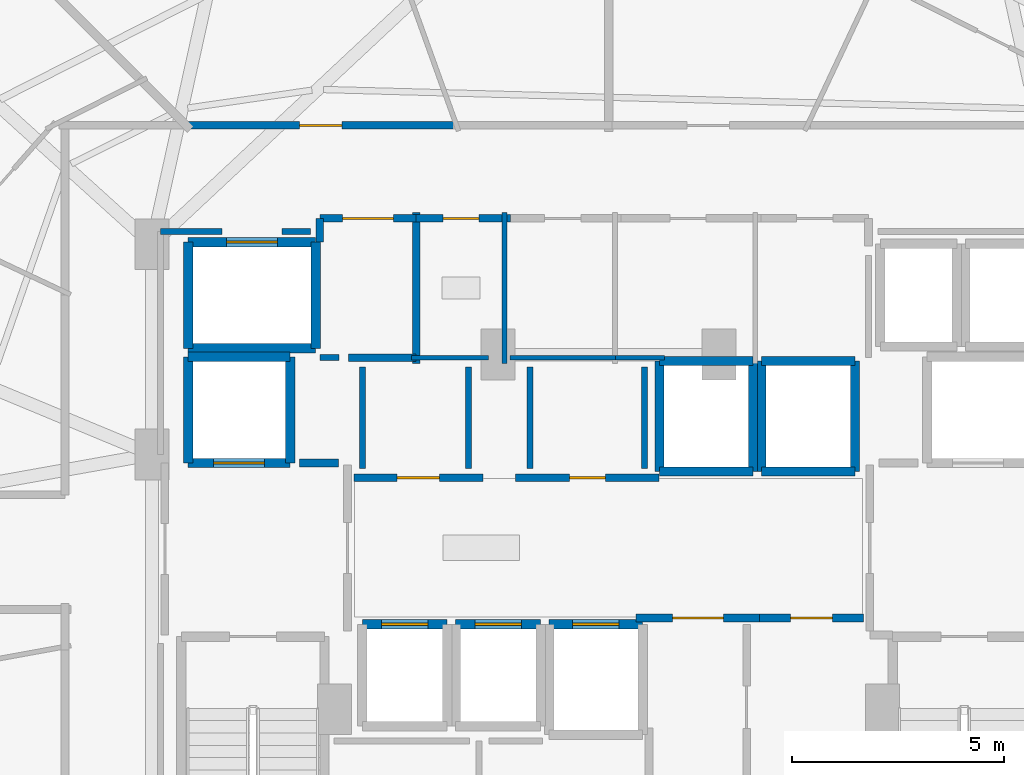
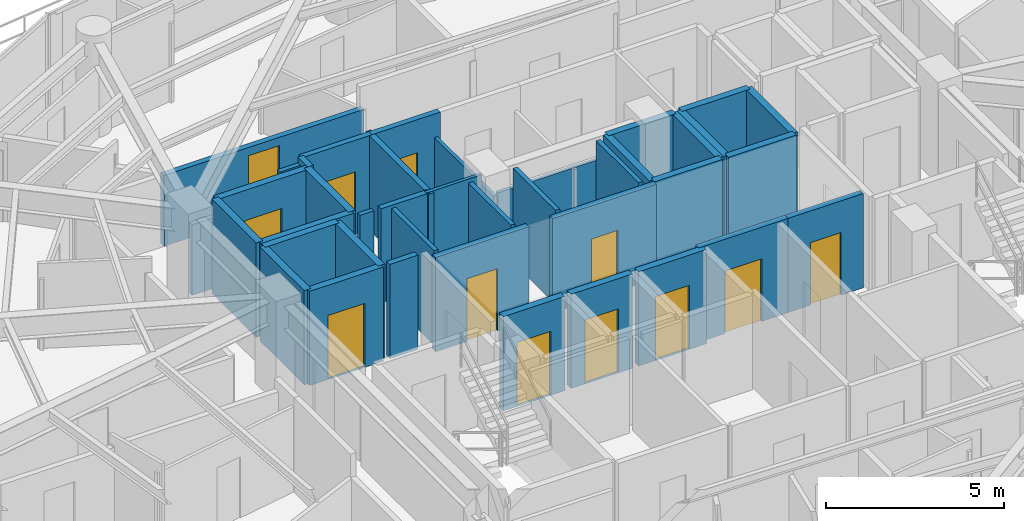
# One storey, part 24 of 31: 41 walls, 12 doors, 12 openings.
"""IFC4 building model written with IfcOpenShell, lengths in metres."""

from ifc_helpers import new_model, si_unit, direction, frame, frame_2d, origin, place, context, subcontext, project, spatial, rectangle, extrude, material, layer, layer_set, type_object, element, fill, save


model = new_model("IFC4")

# Units and contexts
model_context = context("Model", 3, precision=1e-05, world=origin(), true_north=direction((0.0, 1.0)))
body_context = subcontext(model_context, "Body", "Model", "MODEL_VIEW")
ifc_project = project(units=[si_unit("LENGTHUNIT", "METRE"), si_unit("AREAUNIT", "SQUARE_METRE"), si_unit("VOLUMEUNIT", "CUBIC_METRE"), si_unit("PLANEANGLEUNIT", "RADIAN"), si_unit("MASSUNIT", "GRAM", prefix="KILO")], contexts=[model_context])

# Site, building, storey
site_placement = place(None, origin())
site = spatial("IfcSite", under=ifc_project, at=site_placement, CompositionType="ELEMENT")
building_placement = place(site_placement, origin())
building = spatial("IfcBuilding", under=site, at=building_placement, Name="Vorneva Point Tower", CompositionType="ELEMENT")
storey_placement = place(building_placement, frame((0.0, 0.0, 129.10009765625)))
storey = spatial("IfcBuildingStorey", under=building, at=storey_placement, Name="L34", CompositionType="ELEMENT", Elevation=129.10009765625)

# Wall, opening, door
ifc_material_1 = material(Name="Concrete B60 (C50/60)", Category="concrete")
ifc_layer_1 = layer(ifc_material_1, 0.5)
ifc_layer_set_1 = layer_set([ifc_layer_1], Name="Concrete B60 (C50/60)")
wall_type_1 = type_object("IfcWallType", Name="WL-CORE-500", PredefinedType="SHEAR", material=ifc_layer_set_1)
wall_1_placement = place(storey_placement, frame((28.10009765625, 28.0, 0.0), z_axis=(0.0, 0.0, 1.0), x_axis=(1.0, 0.0, 0.0)))
wall_1 = element("IfcWall", 1, at=wall_1_placement, inside=storey, type_object=wall_type_1, Name="L34 Lift FFL1 Shaft Wall -Y", PredefinedType="SHEAR", context=body_context, shape_type="SweptSolid", body=[
    extrude(rectangle(XDim=2.39990234375, YDim=0.219970703125, at=frame_2d((1.199951171875, 0.0))), origin(), (0.0, 0.0, 1.0), 3.239990234375),
])
opening_1_placement = place(wall_1_placement, frame((0.60009765625, 0.0, 0.0)))
opening_1 = element("IfcOpeningElement", 2, at=opening_1_placement, cuts=wall_1, Name="Opening LD-02", PredefinedType="OPENING", context=body_context, shape_type="SweptSolid", body=[
    extrude(rectangle(XDim=1.199951171875, YDim=2.199951171875, at=frame_2d((0.60009765625, 1.10009765625))), frame((0.0, 0.125, 0.0), z_axis=(0.0, -1.0, 0.0), x_axis=(1.0, 0.0, 0.0)), (0.0, 0.0, 1.0), 0.249755859375),
])
ifc_material_2 = material(Name="Brushed stainless steel S304", Category="steel")
door_type_1 = type_object("IfcDoorType", Name="LD-FIRE-1200", OperationType="SLIDING_TO_LEFT", PredefinedType="DOOR", material=ifc_material_2)
door_1_placement = place(opening_1_placement, origin())
door_1 = element("IfcDoor", 3, at=door_1_placement, inside=storey, type_object=door_type_1, Name="L34 Lift FFL1 Sliding Landing Door", OperationType="SLIDING_TO_LEFT", OverallHeight=2.199951171875, OverallWidth=1.199951171875, PredefinedType="DOOR", context=body_context, shape_type="SweptSolid", body=[
    extrude(rectangle(XDim=1.199951171875, YDim=2.199951171875, at=frame_2d((0.60009765625, 1.10009765625))), frame((0.0, 0.02490234375, 0.0), z_axis=(0.0, -1.0, 0.0), x_axis=(1.0, 0.0, 0.0)), (0.0, 0.0, 1.0), 0.050048828125),
])
fill(opening_1, door_1)

# Walls
wall_2_placement = place(storey_placement, frame((30.5, 28.0, 0.0), z_axis=(0.0, 0.0, 1.0), x_axis=(0.0, 1.0, 0.0)))
element("IfcWall", 4, at=wall_2_placement, inside=storey, type_object=wall_type_1, Name="L34 Lift FFL1 Shaft Wall +X", PredefinedType="SHEAR", context=body_context, shape_type="SweptSolid", body=[
    extrude(rectangle(XDim=2.5, YDim=0.219970703125, at=frame_2d((1.25, 0.0))), origin(), (0.0, 0.0, 1.0), 3.239990234375),
])
wall_3_placement = place(storey_placement, frame((30.5, 30.5, 0.0), z_axis=(0.0, 0.0, 1.0), x_axis=(-1.0, 0.0, 0.0)))
element("IfcWall", 5, at=wall_3_placement, inside=storey, type_object=wall_type_1, Name="L34 Lift FFL1 Shaft Wall +Y", PredefinedType="SHEAR", context=body_context, shape_type="SweptSolid", body=[
    extrude(rectangle(XDim=2.39990234375, YDim=0.219970703125, at=frame_2d((1.199951171875, 0.0))), origin(), (0.0, 0.0, 1.0), 3.239990234375),
])
wall_4_placement = place(storey_placement, frame((28.10009765625, 30.5, 0.0), z_axis=(0.0, 0.0, 1.0), x_axis=(0.0, -1.0, 0.0)))
element("IfcWall", 6, at=wall_4_placement, inside=storey, type_object=wall_type_1, Name="L34 Lift FFL1 Shaft Wall -X", PredefinedType="SHEAR", context=body_context, shape_type="SweptSolid", body=[
    extrude(rectangle(XDim=2.5, YDim=0.219970703125, at=frame_2d((1.25, 0.0))), origin(), (0.0, 0.0, 1.0), 3.239990234375),
])
ifc_material_3 = material(Name="Fire-rated acoustic gypsum stud partition", Category="gypsum")
ifc_layer_2 = layer(ifc_material_3, 0.110107421875)
ifc_layer_set_2 = layer_set([ifc_layer_2], Name="Fire-rated acoustic gypsum stud partition")
wall_type_2 = type_object("IfcWallType", Name="WL-PART-110", PredefinedType="PARTITIONING", material=ifc_layer_set_2)
wall_5_placement = place(storey_placement, frame((35.550048828125, 30.340087890625, 0.0), z_axis=(0.0, 0.0, 1.0), x_axis=(0.0, 1.0, 0.0)))
element("IfcWall", 7, at=wall_5_placement, inside=storey, type_object=wall_type_2, Name="L34 Interior Partition 020", PredefinedType="PARTITIONING", context=body_context, shape_type="SweptSolid", body=[
    extrude(rectangle(XDim=3.559814453125, YDim=0.110107421875, at=frame_2d((1.77978515625, 0.0))), origin(), (0.0, 0.0, 1.0), 2.431884765625),
])
wall_6_placement = place(storey_placement, frame((33.360107421875, 30.47998046875, 0.0), z_axis=(0.0, 0.0, 1.0), x_axis=(1.0, 0.0, 0.0)))
element("IfcWall", 8, at=wall_6_placement, inside=storey, type_object=wall_type_2, Name="L34 Interior Partition 021", PredefinedType="PARTITIONING", context=body_context, shape_type="SweptSolid", body=[
    extrude(rectangle(XDim=1.809814453125, YDim=0.110107421875, at=frame_2d((0.90478515625, 0.0))), origin(), (0.0, 0.0, 1.0), 3.239990234375),
])
wall_7_placement = place(storey_placement, frame((35.679931640625, 30.47998046875, 0.0), z_axis=(0.0, 0.0, 1.0), x_axis=(1.0, 0.0, 0.0)))
element("IfcWall", 9, at=wall_7_placement, inside=storey, type_object=wall_type_2, Name="L34 Interior Partition 024", PredefinedType="PARTITIONING", context=body_context, shape_type="SweptSolid", body=[
    extrude(rectangle(XDim=2.594970703125, YDim=0.110107421875, at=frame_2d((1.29736328125, 0.0))), origin(), (0.0, 0.0, 1.0), 2.431884765625),
])
wall_8_placement = place(storey_placement, frame((38.1650390625, 30.47998046875, 0.0), z_axis=(0.0, 0.0, 1.0), x_axis=(1.0, 0.0, 0.0)))
element("IfcWall", 10, at=wall_8_placement, inside=storey, type_object=wall_type_2, Name="L34 Interior Partition 027", PredefinedType="PARTITIONING", context=body_context, shape_type="SweptSolid", body=[
    extrude(rectangle(XDim=1.155029296875, YDim=0.110107421875, at=frame_2d((0.57763671875, 0.0))), origin(), (0.0, 0.0, 1.0), 2.431884765625),
])
ifc_layer_3 = layer(ifc_material_3, 0.139892578125)
ifc_layer_set_3 = layer_set([ifc_layer_3], Name="Fire-rated acoustic gypsum stud partition")
wall_type_3 = type_object("IfcWallType", Name="WL-PART-140", PredefinedType="PARTITIONING", material=ifc_layer_set_3)
wall_9_placement = place(storey_placement, frame((31.199951171875, 30.47998046875, 0.0), z_axis=(0.0, 0.0, 1.0), x_axis=(1.0, 0.0, 0.0)))
element("IfcWall", 11, at=wall_9_placement, inside=storey, type_object=wall_type_3, Name="L34 Interior Closure Partition 137", PredefinedType="PARTITIONING", context=body_context, shape_type="SweptSolid", body=[
    extrude(rectangle(XDim=0.449951171875, YDim=0.139892578125, at=frame_2d((0.22509765625, 0.0))), origin(), (0.0, 0.0, 1.0), 3.239990234375),
])
for number, where, z_axis, x_axis, name in (
    (12, (32.199951171875, 30.260009765625, 0.0), (0.0, 0.0, 1.0), (0.0, -1.0, 0.0), "L34 Interior Closure Partition 141"),
    (13, (34.699951171875, 27.8701171875, 0.0), (0.0, 0.0, 1.0), (0.0, 1.0, 0.0), "L34 Interior Closure Partition 142"),
    (14, (36.14990234375, 30.260009765625, 0.0), (0.0, 0.0, 1.0), (0.0, -1.0, 0.0), "L34 Interior Closure Partition 143"),
    (15, (38.85009765625, 27.8701171875, 0.0), (0.0, 0.0, 1.0), (0.0, 1.0, 0.0), "L34 Interior Closure Partition 144"),
):
    element("IfcWall", number, at=place(storey_placement, frame(where, z_axis=z_axis, x_axis=x_axis)), inside=storey, type_object=wall_type_3, Name=name, PredefinedType="PARTITIONING", context=body_context, shape_type="SweptSolid", body=[
        extrude(rectangle(XDim=2.389892578125, YDim=0.139892578125, at=frame_2d((1.19482421875, 0.0))), origin(), (0.0, 0.0, 1.0), 3.239990234375),
    ])
wall_10_placement = place(storey_placement, frame((30.97998046875, 33.449951171875, 0.0), z_axis=(0.0, 0.0, 1.0), x_axis=(-1.0, 0.0, 0.0)))
element("IfcWall", 16, at=wall_10_placement, inside=storey, type_object=wall_type_3, Name="L34 Interior Closure Partition 147", PredefinedType="PARTITIONING", context=body_context, shape_type="SweptSolid", body=[
    extrude(rectangle(XDim=0.674072265625, YDim=0.139892578125, at=frame_2d((0.3369140625, 0.0))), origin(), (0.0, 0.0, 1.0), 3.239990234375),
])
wall_11_placement = place(storey_placement, frame((28.89404296875, 33.449951171875, 0.0), z_axis=(0.0, 0.0, 1.0), x_axis=(-1.0, 0.0, 0.0)))
element("IfcWall", 17, at=wall_11_placement, inside=storey, type_object=wall_type_3, Name="L34 Interior Closure Partition 148", PredefinedType="PARTITIONING", context=body_context, shape_type="SweptSolid", body=[
    extrude(rectangle(XDim=1.444091796875, YDim=0.139892578125, at=frame_2d((0.72216796875, 0.0))), origin(), (0.0, 0.0, 1.0), 2.431884765625),
])
ifc_material_4 = material(Name="Autoclaved aerated concrete blockwork", Category="masonry")
ifc_layer_4 = layer(ifc_material_4, 0.179931640625)
ifc_layer_set_4 = layer_set([ifc_layer_4], Name="Autoclaved aerated concrete blockwork")
wall_type_4 = type_object("IfcWallType", Name="WL-PART-180", PredefinedType="PARTITIONING", material=ifc_layer_set_4)
wall_12_placement = place(storey_placement, frame((33.469970703125, 30.340087890625, 0.0), z_axis=(0.0, 0.0, 1.0), x_axis=(0.0, 1.0, 0.0)))
element("IfcWall", 18, at=wall_12_placement, inside=storey, type_object=wall_type_4, Name="L34 Interior Partition 006", PredefinedType="PARTITIONING", context=body_context, shape_type="SweptSolid", body=[
    extrude(rectangle(XDim=3.559814453125, YDim=0.179931640625, at=frame_2d((1.77978515625, 0.0))), origin(), (0.0, 0.0, 1.0), 3.239990234375),
])
wall_13_placement = place(storey_placement, frame((31.8701171875, 30.47998046875, 0.0), z_axis=(0.0, 0.0, 1.0), x_axis=(1.0, 0.0, 0.0)))
element("IfcWall", 19, at=wall_13_placement, inside=storey, type_object=wall_type_4, Name="L34 Interior Partition 007", PredefinedType="PARTITIONING", context=body_context, shape_type="SweptSolid", body=[
    extrude(rectangle(XDim=1.599853515625, YDim=0.179931640625, at=frame_2d((0.7998046875, 0.0))), origin(), (0.0, 0.0, 1.0), 3.239990234375),
])

# Wall, opening, door
wall_14_placement = place(storey_placement, frame((33.469970703125, 33.760009765625, 0.0), z_axis=(0.0, 0.0, 1.0), x_axis=(-1.0, 0.0, 0.0)))
wall_14 = element("IfcWall", 20, at=wall_14_placement, inside=storey, type_object=wall_type_4, Name="L34 Interior Partition 008", PredefinedType="PARTITIONING", context=body_context, shape_type="SweptSolid", body=[
    extrude(rectangle(XDim=2.27001953125, YDim=0.179931640625, at=frame_2d((1.135009765625, 0.0))), origin(), (0.0, 0.0, 1.0), 3.239990234375),
])
opening_2_placement = place(wall_14_placement, frame((0.534912109375, 0.0, 0.0)))
opening_2 = element("IfcOpeningElement", 21, at=opening_2_placement, cuts=wall_14, Name="Opening FD-02", PredefinedType="OPENING", context=body_context, shape_type="SweptSolid", body=[
    extrude(rectangle(XDim=1.199951171875, YDim=2.14990234375, at=frame_2d((0.60009765625, 1.074951171875))), frame((0.0, 0.10498046875, 0.0), z_axis=(0.0, -1.0, 0.0), x_axis=(1.0, 0.0, 0.0)), (0.0, 0.0, 1.0), 0.209716796875),
])
ifc_material_5 = material(Name="Fire-rated powder-coated steel", Category="steel")
door_type_2 = type_object("IfcDoorType", Name="DR-FFL-1200", OperationType="NOTDEFINED", PredefinedType="DOOR", material=ifc_material_5)
door_2_placement = place(opening_2_placement, origin())
door_2 = element("IfcDoor", 22, at=door_2_placement, inside=storey, type_object=door_type_2, Name="L34 Door Service Lift Lobby / L34 Circulation Corridor", OperationType="SINGLE_SWING_RIGHT", OverallHeight=2.14990234375, OverallWidth=1.199951171875, PredefinedType="DOOR", context=body_context, shape_type="SweptSolid", body=[
    extrude(rectangle(XDim=1.199951171875, YDim=2.14990234375, at=frame_2d((0.60009765625, 1.074951171875))), frame((0.0, 0.02490234375, 0.0), z_axis=(0.0, -1.0, 0.0), x_axis=(1.0, 0.0, 0.0)), (0.0, 0.0, 1.0), 0.050048828125),
])
fill(opening_2, door_2)

# Wall
wall_15_placement = place(storey_placement, frame((31.199951171875, 33.760009765625, 0.0), z_axis=(0.0, 0.0, 1.0), x_axis=(0.0, -1.0, 0.0)))
element("IfcWall", 23, at=wall_15_placement, inside=storey, type_object=wall_type_4, Name="L34 Interior Partition 009", PredefinedType="PARTITIONING", context=body_context, shape_type="SweptSolid", body=[
    extrude(rectangle(XDim=0.56005859375, YDim=0.179931640625, at=frame_2d((0.280029296875, 0.0))), origin(), (0.0, 0.0, 1.0), 3.239990234375),
])

# Wall, opening, door
wall_16_placement = place(storey_placement, frame((38.64501953125, 24.35009765625, 0.0), z_axis=(0.0, 0.0, 1.0), x_axis=(1.0, 0.0, 0.0)))
wall_16 = element("IfcWall", 24, at=wall_16_placement, inside=storey, type_object=wall_type_4, Name="L34 Interior Partition 010", PredefinedType="PARTITIONING", context=body_context, shape_type="SweptSolid", body=[
    extrude(rectangle(XDim=2.909912109375, YDim=0.179931640625, at=frame_2d((1.455078125, 0.0))), origin(), (0.0, 0.0, 1.0), 3.239990234375),
])
opening_3_placement = place(wall_16_placement, frame((0.85498046875, 0.0, 0.0)))
opening_3 = element("IfcOpeningElement", 25, at=opening_3_placement, cuts=wall_16, Name="Opening FD-02", PredefinedType="OPENING", context=body_context, shape_type="SweptSolid", body=[
    extrude(rectangle(XDim=1.199951171875, YDim=2.14990234375, at=frame_2d((0.60009765625, 1.074951171875))), frame((0.0, 0.10498046875, 0.0), z_axis=(0.0, -1.0, 0.0), x_axis=(1.0, 0.0, 0.0)), (0.0, 0.0, 1.0), 0.209716796875),
])
door_3_placement = place(opening_3_placement, origin())
door_3 = element("IfcDoor", 26, at=door_3_placement, inside=storey, type_object=door_type_2, Name="L34 Door Central Lift Lobby / Core Service Lobby", OperationType="SINGLE_SWING_LEFT", OverallHeight=2.14990234375, OverallWidth=1.199951171875, PredefinedType="DOOR", context=body_context, shape_type="SweptSolid", body=[
    extrude(rectangle(XDim=1.199951171875, YDim=2.14990234375, at=frame_2d((0.60009765625, 1.074951171875))), frame((0.0, 0.02490234375, 0.0), z_axis=(0.0, -1.0, 0.0), x_axis=(1.0, 0.0, 0.0)), (0.0, 0.0, 1.0), 0.050048828125),
])
fill(opening_3, door_3)

wall_17_placement = place(storey_placement, frame((41.554931640625, 24.35009765625, 0.0), z_axis=(0.0, 0.0, 1.0), x_axis=(1.0, 0.0, 0.0)))
wall_17 = element("IfcWall", 27, at=wall_17_placement, inside=storey, type_object=wall_type_4, Name="L34 Interior Partition 011", PredefinedType="PARTITIONING", context=body_context, shape_type="SweptSolid", body=[
    extrude(rectangle(XDim=2.445068359375, YDim=0.179931640625, at=frame_2d((1.22265625, 0.0))), origin(), (0.0, 0.0, 1.0), 3.239990234375),
])
opening_4_placement = place(wall_17_placement, frame((0.722412109375, 0.0, 0.0)))
opening_4 = element("IfcOpeningElement", 28, at=opening_4_placement, cuts=wall_17, Name="Opening UD-01", PredefinedType="OPENING", context=body_context, shape_type="SweptSolid", body=[
    extrude(rectangle(XDim=1.0, YDim=2.14990234375, at=frame_2d((0.5, 1.074951171875))), frame((0.0, 0.10498046875, 0.0), z_axis=(0.0, -1.0, 0.0), x_axis=(1.0, 0.0, 0.0)), (0.0, 0.0, 1.0), 0.209716796875),
])
ifc_material_6 = material(Name="Engineered oak fire-rated door leaf", Category="wood")
door_type_3 = type_object("IfcDoorType", Name="DR-UNIT-1000", OperationType="NOTDEFINED", PredefinedType="DOOR", material=ifc_material_6)
door_4_placement = place(opening_4_placement, origin())
door_4 = element("IfcDoor", 29, at=door_4_placement, inside=storey, type_object=door_type_3, Name="L34 Door Central Lift Lobby / Floor Management Office", OperationType="SINGLE_SWING_RIGHT", OverallHeight=2.14990234375, OverallWidth=1.0, PredefinedType="DOOR", context=body_context, shape_type="SweptSolid", body=[
    extrude(rectangle(XDim=1.0, YDim=2.14990234375, at=frame_2d((0.5, 1.074951171875))), frame((0.0, 0.02490234375, 0.0), z_axis=(0.0, -1.0, 0.0), x_axis=(1.0, 0.0, 0.0)), (0.0, 0.0, 1.0), 0.050048828125),
])
fill(opening_4, door_4)

wall_18_placement = place(storey_placement, frame((35.0400390625, 27.64990234375, 0.0), z_axis=(0.0, 0.0, 1.0), x_axis=(-1.0, 0.0, 0.0)))
wall_18 = element("IfcWall", 30, at=wall_18_placement, inside=storey, type_object=wall_type_4, Name="L34 Interior Partition 012", PredefinedType="PARTITIONING", context=body_context, shape_type="SweptSolid", body=[
    extrude(rectangle(XDim=3.0400390625, YDim=0.179931640625, at=frame_2d((1.52001953125, 0.0))), origin(), (0.0, 0.0, 1.0), 3.239990234375),
])
opening_5_placement = place(wall_18_placement, frame((1.02001953125, 0.0, 0.0)))
opening_5 = element("IfcOpeningElement", 31, at=opening_5_placement, cuts=wall_18, Name="Opening UD-01", PredefinedType="OPENING", context=body_context, shape_type="SweptSolid", body=[
    extrude(rectangle(XDim=1.0, YDim=2.14990234375, at=frame_2d((0.5, 1.074951171875))), frame((0.0, 0.10498046875, 0.0), z_axis=(0.0, -1.0, 0.0), x_axis=(1.0, 0.0, 0.0)), (0.0, 0.0, 1.0), 0.209716796875),
])
door_5_placement = place(opening_5_placement, origin())
door_5 = element("IfcDoor", 32, at=door_5_placement, inside=storey, type_object=door_type_3, Name="L34 Door Central Lift Lobby / Reclaimed Core Lounge", OperationType="SINGLE_SWING_LEFT", OverallHeight=2.14990234375, OverallWidth=1.0, PredefinedType="DOOR", context=body_context, shape_type="SweptSolid", body=[
    extrude(rectangle(XDim=1.0, YDim=2.14990234375, at=frame_2d((0.5, 1.074951171875))), frame((0.0, 0.02490234375, 0.0), z_axis=(0.0, -1.0, 0.0), x_axis=(1.0, 0.0, 0.0)), (0.0, 0.0, 1.0), 0.050048828125),
])
fill(opening_5, door_5)

wall_19_placement = place(storey_placement, frame((39.18994140625, 27.64990234375, 0.0), z_axis=(0.0, 0.0, 1.0), x_axis=(-1.0, 0.0, 0.0)))
wall_19 = element("IfcWall", 33, at=wall_19_placement, inside=storey, type_object=wall_type_4, Name="L34 Interior Partition 013", PredefinedType="PARTITIONING", context=body_context, shape_type="SweptSolid", body=[
    extrude(rectangle(XDim=3.3798828125, YDim=0.179931640625, at=frame_2d((1.68994140625, 0.0))), origin(), (0.0, 0.0, 1.0), 3.239990234375),
])
opening_6_placement = place(wall_19_placement, frame((1.264892578125, 0.0, 0.0)))
opening_6 = element("IfcOpeningElement", 34, at=opening_6_placement, cuts=wall_19, Name="Opening ID-02", PredefinedType="OPENING", context=body_context, shape_type="SweptSolid", body=[
    extrude(rectangle(XDim=0.85009765625, YDim=2.10009765625, at=frame_2d((0.425048828125, 1.050048828125))), frame((0.0, 0.10498046875, 0.0), z_axis=(0.0, -1.0, 0.0), x_axis=(1.0, 0.0, 0.0)), (0.0, 0.0, 1.0), 0.209716796875),
])
door_type_4 = type_object("IfcDoorType", Name="DR-BATH-850", OperationType="NOTDEFINED", PredefinedType="DOOR", material=ifc_material_6)
door_6_placement = place(opening_6_placement, origin())
door_6 = element("IfcDoor", 35, at=door_6_placement, inside=storey, type_object=door_type_4, Name="L34 Door Central Lift Lobby / Reclaimed Core Archive Store", OperationType="SINGLE_SWING_RIGHT", OverallHeight=2.10009765625, OverallWidth=0.85009765625, PredefinedType="DOOR", context=body_context, shape_type="SweptSolid", body=[
    extrude(rectangle(XDim=0.85009765625, YDim=2.10009765625, at=frame_2d((0.425048828125, 1.050048828125))), frame((0.0, 0.02490234375, 0.0), z_axis=(0.0, -1.0, 0.0), x_axis=(1.0, 0.0, 0.0)), (0.0, 0.0, 1.0), 0.050048828125),
])
fill(opening_6, door_6)

wall_20_placement = place(storey_placement, frame((35.68994140625, 33.760009765625, 0.0), z_axis=(0.0, 0.0, 1.0), x_axis=(-1.0, 0.0, 0.0)))
wall_20 = element("IfcWall", 36, at=wall_20_placement, inside=storey, type_object=wall_type_4, Name="L34 Interior Partition 022", PredefinedType="PARTITIONING", context=body_context, shape_type="SweptSolid", body=[
    extrude(rectangle(XDim=2.329833984375, YDim=0.179931640625, at=frame_2d((1.1650390625, 0.0))), origin(), (0.0, 0.0, 1.0), 3.239990234375),
])
opening_7_placement = place(wall_20_placement, frame((0.739990234375, 0.0, 0.0)))
opening_7 = element("IfcOpeningElement", 37, at=opening_7_placement, cuts=wall_20, Name="Opening ID-02", PredefinedType="OPENING", context=body_context, shape_type="SweptSolid", body=[
    extrude(rectangle(XDim=0.85009765625, YDim=2.10009765625, at=frame_2d((0.425048828125, 1.050048828125))), frame((0.0, 0.10498046875, 0.0), z_axis=(0.0, -1.0, 0.0), x_axis=(1.0, 0.0, 0.0)), (0.0, 0.0, 1.0), 0.209716796875),
])
door_7_placement = place(opening_7_placement, origin())
door_7 = element("IfcDoor", 38, at=door_7_placement, inside=storey, type_object=door_type_4, Name="L34 Door Accessible WC / L34 Circulation Corridor", OperationType="SINGLE_SWING_RIGHT", OverallHeight=2.10009765625, OverallWidth=0.85009765625, PredefinedType="DOOR", context=body_context, shape_type="SweptSolid", body=[
    extrude(rectangle(XDim=0.85009765625, YDim=2.10009765625, at=frame_2d((0.425048828125, 1.050048828125))), frame((0.0, 0.02490234375, 0.0), z_axis=(0.0, -1.0, 0.0), x_axis=(1.0, 0.0, 0.0)), (0.0, 0.0, 1.0), 0.050048828125),
])
fill(opening_7, door_7)

wall_21_placement = place(storey_placement, frame((34.47802734375, 35.949951171875, 0.0), z_axis=(0.0, 0.0, 1.0), x_axis=(-1.0, 0.0, 0.0)))
wall_21 = element("IfcWall", 39, at=wall_21_placement, inside=storey, type_object=wall_type_4, Name="L34 Interior Partition 042", PredefinedType="PARTITIONING", context=body_context, shape_type="SweptSolid", body=[
    extrude(rectangle(XDim=6.512939453125, YDim=0.179931640625, at=frame_2d((3.25634765625, 0.0))), origin(), (0.0, 0.0, 1.0), 2.431884765625),
])
opening_8_placement = place(wall_21_placement, frame((2.756591796875, 0.0, 0.0)))
opening_8 = element("IfcOpeningElement", 40, at=opening_8_placement, cuts=wall_21, Name="Opening UD-01", PredefinedType="OPENING", context=body_context, shape_type="SweptSolid", body=[
    extrude(rectangle(XDim=1.0, YDim=2.14990234375, at=frame_2d((0.5, 1.074951171875))), frame((0.0, 0.10498046875, 0.0), z_axis=(0.0, -1.0, 0.0), x_axis=(1.0, 0.0, 0.0)), (0.0, 0.0, 1.0), 0.209716796875),
])
door_8_placement = place(opening_8_placement, origin())
door_8 = element("IfcDoor", 41, at=door_8_placement, inside=storey, type_object=door_type_3, Name="L34 Door L34 Circulation Corridor / Studio Apartment L34-03", OperationType="SINGLE_SWING_RIGHT", OverallHeight=2.14990234375, OverallWidth=1.0, PredefinedType="DOOR", context=body_context, shape_type="SweptSolid", body=[
    extrude(rectangle(XDim=1.0, YDim=2.14990234375, at=frame_2d((0.5, 1.074951171875))), frame((0.0, 0.02490234375, 0.0), z_axis=(0.0, -1.0, 0.0), x_axis=(1.0, 0.0, 0.0)), (0.0, 0.0, 1.0), 0.050048828125),
])
fill(opening_8, door_8)

# Wall
wall_22_placement = place(storey_placement, frame((31.635009765625, 28.0, 0.0), z_axis=(0.0, 0.0, 1.0), x_axis=(-1.0, 0.0, 0.0)))
element("IfcWall", 42, at=wall_22_placement, inside=storey, type_object=wall_type_4, Name="L34 Interior Closure Partition 135", PredefinedType="PARTITIONING", context=body_context, shape_type="SweptSolid", body=[
    extrude(rectangle(XDim=0.9150390625, YDim=0.179931640625, at=frame_2d((0.45751953125, 0.0))), origin(), (0.0, 0.0, 1.0), 3.239990234375),
])

# Wall, opening, door
ifc_material_7 = material(Name="Concrete B50 (C40/50)", Category="concrete")
ifc_layer_5 = layer(ifc_material_7, 0.219970703125)
ifc_layer_set_5 = layer_set([ifc_layer_5], Name="Concrete B50 (C40/50)")
wall_type_5 = type_object("IfcWallType", Name="WL-SHFT-220", PredefinedType="SOLIDWALL", material=ifc_layer_set_5)
wall_23_placement = place(storey_placement, frame((34.199951171875, 24.199951171875, 0.0), z_axis=(0.0, 0.0, 1.0), x_axis=(-1.0, 0.0, 0.0)))
wall_23 = element("IfcWall", 43, at=wall_23_placement, inside=storey, type_object=wall_type_5, Name="L34 Lift PL4 Shaft Wall +Y", PredefinedType="SOLIDWALL", context=body_context, shape_type="SweptSolid", body=[
    extrude(rectangle(XDim=2.0, YDim=0.219970703125, at=frame_2d((1.0, 0.0))), origin(), (0.0, 0.0, 1.0), 3.239990234375),
])
opening_9_placement = place(wall_23_placement, frame((0.449951171875, 0.0, 0.0)))
opening_9 = element("IfcOpeningElement", 44, at=opening_9_placement, cuts=wall_23, Name="Opening LD-01", PredefinedType="OPENING", context=body_context, shape_type="SweptSolid", body=[
    extrude(rectangle(XDim=1.10009765625, YDim=2.199951171875, at=frame_2d((0.550048828125, 1.10009765625))), frame((0.0, 0.125, 0.0), z_axis=(0.0, -1.0, 0.0), x_axis=(1.0, 0.0, 0.0)), (0.0, 0.0, 1.0), 0.249755859375),
])
door_type_5 = type_object("IfcDoorType", Name="LD-PASS-1100", OperationType="SLIDING_TO_LEFT", PredefinedType="DOOR", material=ifc_material_2)
door_9_placement = place(opening_9_placement, origin())
door_9 = element("IfcDoor", 45, at=door_9_placement, inside=storey, type_object=door_type_5, Name="L34 Lift PL4 Sliding Landing Door", OperationType="SLIDING_TO_LEFT", OverallHeight=2.199951171875, OverallWidth=1.10009765625, PredefinedType="DOOR", context=body_context, shape_type="SweptSolid", body=[
    extrude(rectangle(XDim=1.10009765625, YDim=2.199951171875, at=frame_2d((0.550048828125, 1.10009765625))), frame((0.0, 0.02490234375, 0.0), z_axis=(0.0, -1.0, 0.0), x_axis=(1.0, 0.0, 0.0)), (0.0, 0.0, 1.0), 0.050048828125),
])
fill(opening_9, door_9)

wall_24_placement = place(storey_placement, frame((36.39990234375, 24.199951171875, 0.0), z_axis=(0.0, 0.0, 1.0), x_axis=(-1.0, 0.0, 0.0)))
wall_24 = element("IfcWall", 46, at=wall_24_placement, inside=storey, type_object=wall_type_5, Name="L34 Lift PL5 Shaft Wall +Y", PredefinedType="SOLIDWALL", context=body_context, shape_type="SweptSolid", body=[
    extrude(rectangle(XDim=2.0, YDim=0.219970703125, at=frame_2d((1.0, 0.0))), origin(), (0.0, 0.0, 1.0), 3.239990234375),
])
opening_10_placement = place(wall_24_placement, frame((0.449951171875, 0.0, 0.0)))
opening_10 = element("IfcOpeningElement", 47, at=opening_10_placement, cuts=wall_24, Name="Opening LD-01", PredefinedType="OPENING", context=body_context, shape_type="SweptSolid", body=[
    extrude(rectangle(XDim=1.10009765625, YDim=2.199951171875, at=frame_2d((0.550048828125, 1.10009765625))), frame((0.0, 0.125, 0.0), z_axis=(0.0, -1.0, 0.0), x_axis=(1.0, 0.0, 0.0)), (0.0, 0.0, 1.0), 0.249755859375),
])
door_10_placement = place(opening_10_placement, origin())
door_10 = element("IfcDoor", 48, at=door_10_placement, inside=storey, type_object=door_type_5, Name="L34 Lift PL5 Sliding Landing Door", OperationType="SLIDING_TO_LEFT", OverallHeight=2.199951171875, OverallWidth=1.10009765625, PredefinedType="DOOR", context=body_context, shape_type="SweptSolid", body=[
    extrude(rectangle(XDim=1.10009765625, YDim=2.199951171875, at=frame_2d((0.550048828125, 1.10009765625))), frame((0.0, 0.02490234375, 0.0), z_axis=(0.0, -1.0, 0.0), x_axis=(1.0, 0.0, 0.0)), (0.0, 0.0, 1.0), 0.050048828125),
])
fill(opening_10, door_10)

wall_25_placement = place(storey_placement, frame((38.800048828125, 24.199951171875, 0.0), z_axis=(0.0, 0.0, 1.0), x_axis=(-1.0, 0.0, 0.0)))
wall_25 = element("IfcWall", 49, at=wall_25_placement, inside=storey, type_object=wall_type_5, Name="L34 Lift PL6 Shaft Wall +Y", PredefinedType="SOLIDWALL", context=body_context, shape_type="SweptSolid", body=[
    extrude(rectangle(XDim=2.199951171875, YDim=0.219970703125, at=frame_2d((1.10009765625, 0.0))), origin(), (0.0, 0.0, 1.0), 3.239990234375),
])
opening_11_placement = place(wall_25_placement, frame((0.550048828125, 0.0, 0.0)))
opening_11 = element("IfcOpeningElement", 50, at=opening_11_placement, cuts=wall_25, Name="Opening LD-01", PredefinedType="OPENING", context=body_context, shape_type="SweptSolid", body=[
    extrude(rectangle(XDim=1.10009765625, YDim=2.199951171875, at=frame_2d((0.550048828125, 1.10009765625))), frame((0.0, 0.125, 0.0), z_axis=(0.0, -1.0, 0.0), x_axis=(1.0, 0.0, 0.0)), (0.0, 0.0, 1.0), 0.249755859375),
])
door_11_placement = place(opening_11_placement, origin())
door_11 = element("IfcDoor", 51, at=door_11_placement, inside=storey, type_object=door_type_5, Name="L34 Lift PL6 Sliding Landing Door", OperationType="SLIDING_TO_LEFT", OverallHeight=2.199951171875, OverallWidth=1.10009765625, PredefinedType="DOOR", context=body_context, shape_type="SweptSolid", body=[
    extrude(rectangle(XDim=1.10009765625, YDim=2.199951171875, at=frame_2d((0.550048828125, 1.10009765625))), frame((0.0, 0.02490234375, 0.0), z_axis=(0.0, -1.0, 0.0), x_axis=(1.0, 0.0, 0.0)), (0.0, 0.0, 1.0), 0.050048828125),
])
fill(opening_11, door_11)

# Walls
wall_26_placement = place(storey_placement, frame((39.199951171875, 27.800048828125, 0.0), z_axis=(0.0, 0.0, 1.0), x_axis=(1.0, 0.0, 0.0)))
element("IfcWall", 52, at=wall_26_placement, inside=storey, type_object=wall_type_5, Name="L34 Lift PL7 Shaft Wall -Y", PredefinedType="SOLIDWALL", context=body_context, shape_type="SweptSolid", body=[
    extrude(rectangle(XDim=2.199951171875, YDim=0.219970703125, at=frame_2d((1.10009765625, 0.0))), origin(), (0.0, 0.0, 1.0), 3.239990234375),
])
wall_27_placement = place(storey_placement, frame((41.39990234375, 27.800048828125, 0.0), z_axis=(0.0, 0.0, 1.0), x_axis=(0.0, 1.0, 0.0)))
element("IfcWall", 53, at=wall_27_placement, inside=storey, type_object=wall_type_5, Name="L34 Lift PL7 Shaft Wall +X", PredefinedType="SOLIDWALL", context=body_context, shape_type="SweptSolid", body=[
    extrude(rectangle(XDim=2.599853515625, YDim=0.219970703125, at=frame_2d((1.2998046875, 0.0))), origin(), (0.0, 0.0, 1.0), 3.239990234375),
])
wall_28_placement = place(storey_placement, frame((41.39990234375, 30.39990234375, 0.0), z_axis=(0.0, 0.0, 1.0), x_axis=(-1.0, 0.0, 0.0)))
element("IfcWall", 54, at=wall_28_placement, inside=storey, type_object=wall_type_5, Name="L34 Lift PL7 Shaft Wall +Y", PredefinedType="SOLIDWALL", context=body_context, shape_type="SweptSolid", body=[
    extrude(rectangle(XDim=2.199951171875, YDim=0.219970703125, at=frame_2d((1.10009765625, 0.0))), origin(), (0.0, 0.0, 1.0), 3.239990234375),
])
wall_29_placement = place(storey_placement, frame((39.199951171875, 30.39990234375, 0.0), z_axis=(0.0, 0.0, 1.0), x_axis=(0.0, -1.0, 0.0)))
element("IfcWall", 55, at=wall_29_placement, inside=storey, type_object=wall_type_5, Name="L34 Lift PL7 Shaft Wall -X", PredefinedType="SOLIDWALL", context=body_context, shape_type="SweptSolid", body=[
    extrude(rectangle(XDim=2.599853515625, YDim=0.219970703125, at=frame_2d((1.2998046875, 0.0))), origin(), (0.0, 0.0, 1.0), 3.239990234375),
])
wall_30_placement = place(storey_placement, frame((41.60009765625, 27.800048828125, 0.0), z_axis=(0.0, 0.0, 1.0), x_axis=(1.0, 0.0, 0.0)))
element("IfcWall", 56, at=wall_30_placement, inside=storey, type_object=wall_type_5, Name="L34 Lift PL8 Shaft Wall -Y", PredefinedType="SOLIDWALL", context=body_context, shape_type="SweptSolid", body=[
    extrude(rectangle(XDim=2.199951171875, YDim=0.219970703125, at=frame_2d((1.10009765625, 0.0))), origin(), (0.0, 0.0, 1.0), 3.239990234375),
])
wall_31_placement = place(storey_placement, frame((43.800048828125, 27.800048828125, 0.0), z_axis=(0.0, 0.0, 1.0), x_axis=(0.0, 1.0, 0.0)))
element("IfcWall", 57, at=wall_31_placement, inside=storey, type_object=wall_type_5, Name="L34 Lift PL8 Shaft Wall +X", PredefinedType="SOLIDWALL", context=body_context, shape_type="SweptSolid", body=[
    extrude(rectangle(XDim=2.599853515625, YDim=0.219970703125, at=frame_2d((1.2998046875, 0.0))), origin(), (0.0, 0.0, 1.0), 3.239990234375),
])
wall_32_placement = place(storey_placement, frame((43.800048828125, 30.39990234375, 0.0), z_axis=(0.0, 0.0, 1.0), x_axis=(-1.0, 0.0, 0.0)))
element("IfcWall", 58, at=wall_32_placement, inside=storey, type_object=wall_type_5, Name="L34 Lift PL8 Shaft Wall +Y", PredefinedType="SOLIDWALL", context=body_context, shape_type="SweptSolid", body=[
    extrude(rectangle(XDim=2.199951171875, YDim=0.219970703125, at=frame_2d((1.10009765625, 0.0))), origin(), (0.0, 0.0, 1.0), 3.239990234375),
])
wall_33_placement = place(storey_placement, frame((41.60009765625, 30.39990234375, 0.0), z_axis=(0.0, 0.0, 1.0), x_axis=(0.0, -1.0, 0.0)))
element("IfcWall", 59, at=wall_33_placement, inside=storey, type_object=wall_type_5, Name="L34 Lift PL8 Shaft Wall -X", PredefinedType="SOLIDWALL", context=body_context, shape_type="SweptSolid", body=[
    extrude(rectangle(XDim=2.599853515625, YDim=0.219970703125, at=frame_2d((1.2998046875, 0.0))), origin(), (0.0, 0.0, 1.0), 3.239990234375),
])
wall_34_placement = place(storey_placement, frame((28.10009765625, 30.699951171875, 0.0), z_axis=(0.0, 0.0, 1.0), x_axis=(1.0, 0.0, 0.0)))
element("IfcWall", 60, at=wall_34_placement, inside=storey, type_object=wall_type_5, Name="L34 Lift SVL1 Shaft Wall -Y", PredefinedType="SOLIDWALL", context=body_context, shape_type="SweptSolid", body=[
    extrude(rectangle(XDim=3.0, YDim=0.219970703125, at=frame_2d((1.5, 0.0))), origin(), (0.0, 0.0, 1.0), 3.239990234375),
])
wall_35_placement = place(storey_placement, frame((31.10009765625, 30.699951171875, 0.0), z_axis=(0.0, 0.0, 1.0), x_axis=(0.0, 1.0, 0.0)))
element("IfcWall", 61, at=wall_35_placement, inside=storey, type_object=wall_type_5, Name="L34 Lift SVL1 Shaft Wall +X", PredefinedType="SOLIDWALL", context=body_context, shape_type="SweptSolid", body=[
    extrude(rectangle(XDim=2.5, YDim=0.219970703125, at=frame_2d((1.25, 0.0))), origin(), (0.0, 0.0, 1.0), 3.239990234375),
])

# Wall, opening, door
wall_36_placement = place(storey_placement, frame((31.10009765625, 33.199951171875, 0.0), z_axis=(0.0, 0.0, 1.0), x_axis=(-1.0, 0.0, 0.0)))
wall_36 = element("IfcWall", 62, at=wall_36_placement, inside=storey, type_object=wall_type_5, Name="L34 Lift SVL1 Shaft Wall +Y", PredefinedType="SOLIDWALL", context=body_context, shape_type="SweptSolid", body=[
    extrude(rectangle(XDim=3.0, YDim=0.219970703125, at=frame_2d((1.5, 0.0))), origin(), (0.0, 0.0, 1.0), 3.239990234375),
])
opening_12_placement = place(wall_36_placement, frame((0.89990234375, 0.0, 0.0)))
opening_12 = element("IfcOpeningElement", 63, at=opening_12_placement, cuts=wall_36, Name="Opening LD-02", PredefinedType="OPENING", context=body_context, shape_type="SweptSolid", body=[
    extrude(rectangle(XDim=1.199951171875, YDim=2.199951171875, at=frame_2d((0.60009765625, 1.10009765625))), frame((0.0, 0.125, 0.0), z_axis=(0.0, -1.0, 0.0), x_axis=(1.0, 0.0, 0.0)), (0.0, 0.0, 1.0), 0.249755859375),
])
door_12_placement = place(opening_12_placement, origin())
door_12 = element("IfcDoor", 64, at=door_12_placement, inside=storey, type_object=door_type_1, Name="L34 Lift SVL1 Sliding Landing Door", OperationType="SLIDING_TO_LEFT", OverallHeight=2.199951171875, OverallWidth=1.199951171875, PredefinedType="DOOR", context=body_context, shape_type="SweptSolid", body=[
    extrude(rectangle(XDim=1.199951171875, YDim=2.199951171875, at=frame_2d((0.60009765625, 1.10009765625))), frame((0.0, 0.02490234375, 0.0), z_axis=(0.0, -1.0, 0.0), x_axis=(1.0, 0.0, 0.0)), (0.0, 0.0, 1.0), 0.050048828125),
])
fill(opening_12, door_12)

# Wall
wall_37_placement = place(storey_placement, frame((28.10009765625, 33.199951171875, 0.0), z_axis=(0.0, 0.0, 1.0), x_axis=(0.0, -1.0, 0.0)))
element("IfcWall", 65, at=wall_37_placement, inside=storey, type_object=wall_type_5, Name="L34 Lift SVL1 Shaft Wall -X", PredefinedType="SOLIDWALL", context=body_context, shape_type="SweptSolid", body=[
    extrude(rectangle(XDim=2.5, YDim=0.219970703125, at=frame_2d((1.25, 0.0))), origin(), (0.0, 0.0, 1.0), 3.239990234375),
])

save(model, "model.ifc")
